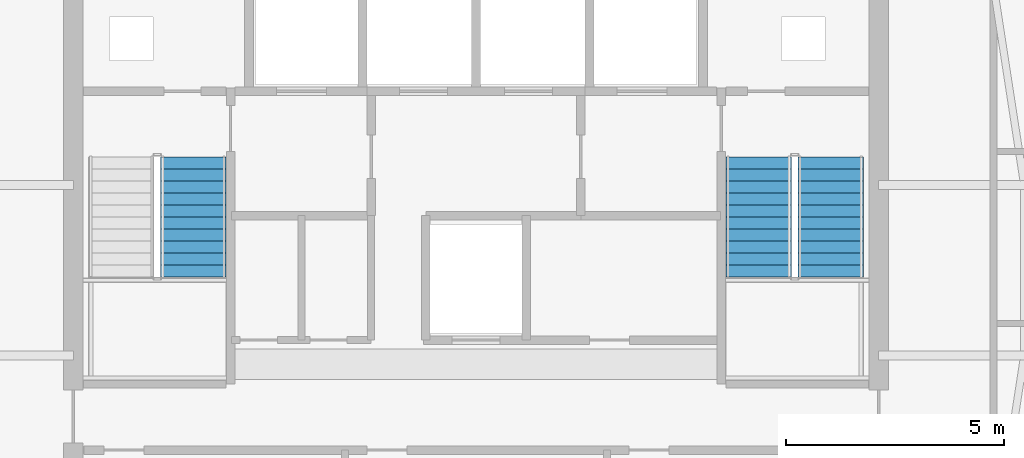
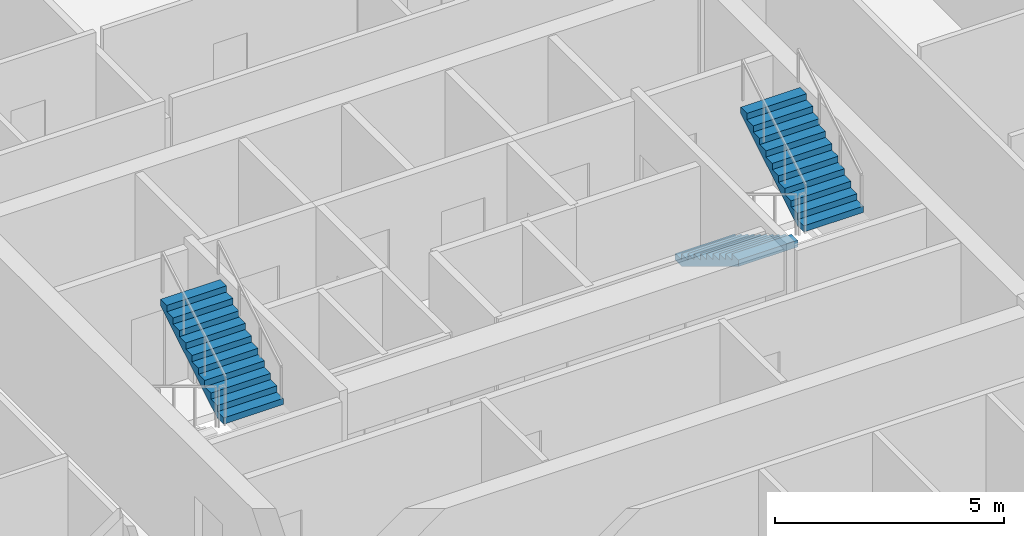
# One storey, part 8 of 12: 3 stair flights, 2 elements without a shape of their own.
"""IFC4 building model written with IfcOpenShell, lengths in metres."""

from ifc_helpers import new_model, si_unit, direction, frame, origin, place, context, subcontext, project, spatial, polyline, outline, extrude, material, type_object, element, aggregate, save


model = new_model("IFC4")

# Units and contexts
model_context = context("Model", 3, precision=1e-05, world=origin(), true_north=direction((0.0, 1.0)))
body_context = subcontext(model_context, "Body", "Model", "MODEL_VIEW")
ifc_project = project(units=[si_unit("LENGTHUNIT", "METRE"), si_unit("AREAUNIT", "SQUARE_METRE"), si_unit("VOLUMEUNIT", "CUBIC_METRE"), si_unit("PLANEANGLEUNIT", "RADIAN"), si_unit("MASSUNIT", "GRAM", prefix="KILO")], contexts=[model_context])

# Site, building, storey
site_placement = place(None, origin())
site = spatial("IfcSite", under=ifc_project, at=site_placement, CompositionType="ELEMENT")
building_placement = place(site_placement, origin())
building = spatial("IfcBuilding", under=site, at=building_placement, Name="Cinnabar Lancet Tower", CompositionType="ELEMENT")
storey_placement = place(building_placement, frame((0.0, 0.0, 237.949951171875)))
storey = spatial("IfcBuildingStorey", under=building, at=storey_placement, Name="L63", CompositionType="ELEMENT", Elevation=237.949951171875)

# Stair, stair flight
ifc_material_1 = material(Name="Concrete C40/50", Category="concrete")
stair_type = type_object("IfcStairType", Name="ST-CORE", PredefinedType="HALF_TURN_STAIR", material=ifc_material_1)
stair_1_placement = place(storey_placement, origin())
stair_1 = element("IfcStair", 1, at=stair_1_placement, inside=storey, type_object=stair_type, Name="L63 ST-1", PredefinedType="HALF_TURN_STAIR")
ifc_material_2 = material(Name="Concrete C40/50", Category="concrete")
stair_flight_type = type_object("IfcStairFlightType", Name="FLIGHT-CORE", PredefinedType="STRAIGHT", material=ifc_material_2)
stair_flight_1_placement = place(storey_placement, frame((25.925048828125, 25.64990234375, 1.824951171875), z_axis=(0.0, 0.0, 1.0), x_axis=(0.0, 1.0, 0.0)))
stair_flight_1 = element("IfcStairFlight", 2, at=stair_flight_1_placement, type_object=stair_flight_type, Name="ST-1 flight 2", NumberOfRisers=11, NumberOfTreads=10, PredefinedType="STRAIGHT", RiserHeight=0.165909091, TreadLength=0.275, context=body_context, shape_type="SweptSolid", body=[
    extrude(outline(polyline([(0.0, 0.0), (0.0, 0.166015625), (0.27490234375, 0.166015625), (0.27490234375, 0.331787109375), (0.550048828125, 0.331787109375), (0.550048828125, 0.497802734375), (0.824951171875, 0.497802734375), (0.824951171875, 0.66357421875), (1.10009765625, 0.66357421875), (1.10009765625, 0.82958984375), (1.375, 0.82958984375), (1.375, 0.995361328125), (1.64990234375, 0.995361328125), (1.64990234375, 1.161376953125), (1.925048828125, 1.161376953125), (1.925048828125, 1.327392578125), (2.199951171875, 1.327392578125), (2.199951171875, 1.4931640625), (2.47509765625, 1.4931640625), (2.47509765625, 1.6591796875), (2.75, 1.6591796875), (2.75, 1.824951171875), (2.75, 1.484130859375), (0.290283203125, 0.0), (0.0, 0.0)])), frame((0.0, 0.75, 0.0), z_axis=(0.0, -1.0, 0.0), x_axis=(1.0, 0.0, 0.0)), (0.0, 0.0, 1.0), 1.5),
])
aggregate(stair_1, [stair_flight_1])

# Stair, stair flights
stair_2_placement = place(storey_placement, origin())
stair_2 = element("IfcStair", 3, at=stair_2_placement, inside=storey, type_object=stair_type, Name="L63 ST-2", PredefinedType="HALF_TURN_STAIR")
stair_flight_2_placement = place(storey_placement, frame((38.875, 28.39990234375, 0.0), z_axis=(0.0, 0.0, 1.0), x_axis=(0.0, -1.0, 0.0)))
stair_flight_2 = element("IfcStairFlight", 4, at=stair_flight_2_placement, type_object=stair_flight_type, Name="ST-2 flight 1", NumberOfRisers=11, NumberOfTreads=10, PredefinedType="STRAIGHT", RiserHeight=0.165909091, TreadLength=0.275, context=body_context, shape_type="SweptSolid", body=[
    extrude(outline(polyline([(0.0, 0.0), (0.0, 0.166015625), (0.27490234375, 0.166015625), (0.27490234375, 0.331787109375), (0.550048828125, 0.331787109375), (0.550048828125, 0.497802734375), (0.824951171875, 0.497802734375), (0.824951171875, 0.66357421875), (1.10009765625, 0.66357421875), (1.10009765625, 0.82958984375), (1.375, 0.82958984375), (1.375, 0.995361328125), (1.64990234375, 0.995361328125), (1.64990234375, 1.161376953125), (1.925048828125, 1.161376953125), (1.925048828125, 1.327392578125), (2.199951171875, 1.327392578125), (2.199951171875, 1.4931640625), (2.47509765625, 1.4931640625), (2.47509765625, 1.6591796875), (2.75, 1.6591796875), (2.75, 1.824951171875), (2.75, 1.484130859375), (0.290283203125, 0.0), (0.0, 0.0)])), frame((0.0, 0.75, 0.0), z_axis=(0.0, -1.0, 0.0), x_axis=(1.0, 0.0, 0.0)), (0.0, 0.0, 1.0), 1.5),
])
stair_flight_3_placement = place(storey_placement, frame((40.52490234375, 25.64990234375, 1.824951171875), z_axis=(0.0, 0.0, 1.0), x_axis=(0.0, 1.0, 0.0)))
stair_flight_3 = element("IfcStairFlight", 5, at=stair_flight_3_placement, type_object=stair_flight_type, Name="ST-2 flight 2", NumberOfRisers=11, NumberOfTreads=10, PredefinedType="STRAIGHT", RiserHeight=0.165909091, TreadLength=0.275, context=body_context, shape_type="SweptSolid", body=[
    extrude(outline(polyline([(0.0, 0.0), (0.0, 0.166015625), (0.27490234375, 0.166015625), (0.27490234375, 0.331787109375), (0.550048828125, 0.331787109375), (0.550048828125, 0.497802734375), (0.824951171875, 0.497802734375), (0.824951171875, 0.66357421875), (1.10009765625, 0.66357421875), (1.10009765625, 0.82958984375), (1.375, 0.82958984375), (1.375, 0.995361328125), (1.64990234375, 0.995361328125), (1.64990234375, 1.161376953125), (1.925048828125, 1.161376953125), (1.925048828125, 1.327392578125), (2.199951171875, 1.327392578125), (2.199951171875, 1.4931640625), (2.47509765625, 1.4931640625), (2.47509765625, 1.6591796875), (2.75, 1.6591796875), (2.75, 1.824951171875), (2.75, 1.484130859375), (0.290283203125, 0.0), (0.0, 0.0)])), frame((0.0, 0.75, 0.0), z_axis=(0.0, -1.0, 0.0), x_axis=(1.0, 0.0, 0.0)), (0.0, 0.0, 1.0), 1.5),
])
aggregate(stair_2, [stair_flight_2, stair_flight_3])

save(model, "model.ifc")
